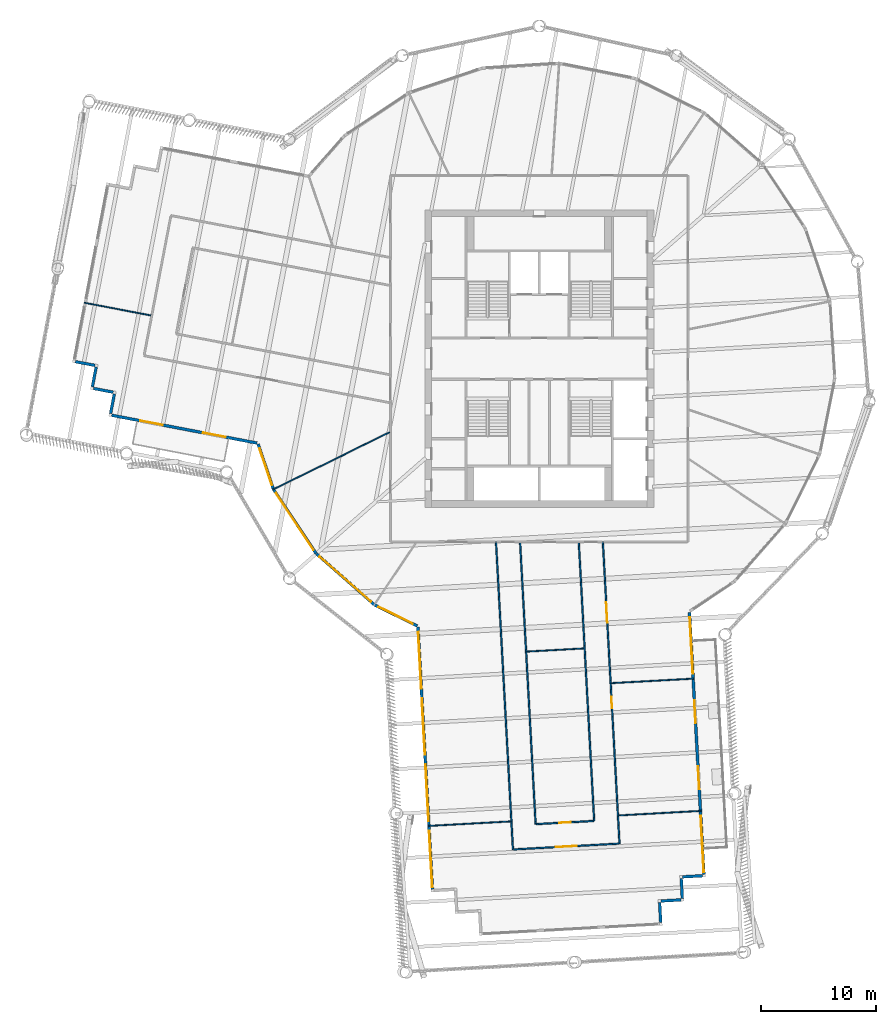
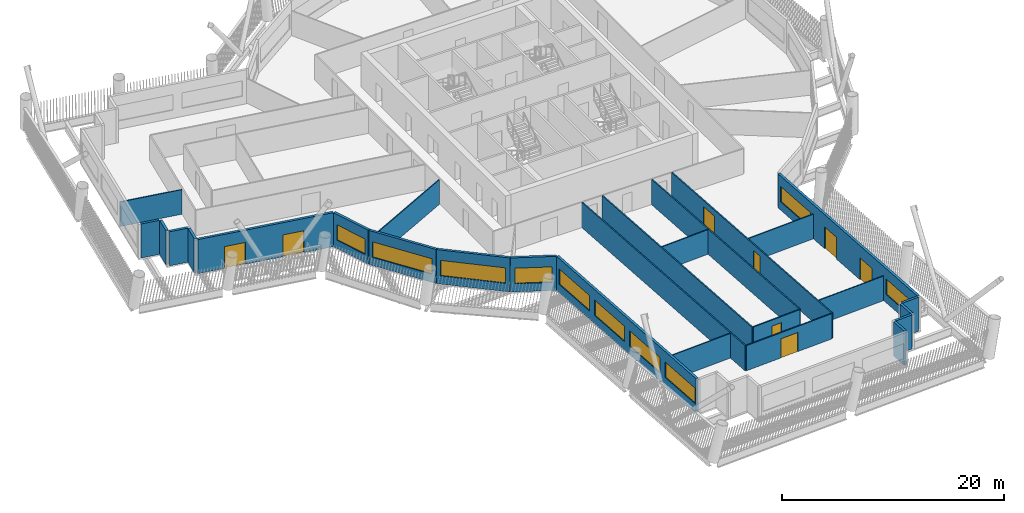
# One storey, part 3 of 23: 27 walls, 10 windows, 8 doors, 18 openings.
"""IFC4 building model written with IfcOpenShell, lengths in metres."""

from ifc_helpers import new_model, si_unit, direction, frame, frame_2d, origin, place, context, subcontext, project, spatial, rectangle, extrude, material, layer, layer_set, type_object, element, fill, save


model = new_model("IFC4")

# Units and contexts
model_context = context("Model", 3, precision=1e-05, world=origin(), true_north=direction((0.0, 1.0)))
body_context = subcontext(model_context, "Body", "Model", "MODEL_VIEW")
ifc_project = project(units=[si_unit("LENGTHUNIT", "METRE"), si_unit("AREAUNIT", "SQUARE_METRE"), si_unit("VOLUMEUNIT", "CUBIC_METRE"), si_unit("PLANEANGLEUNIT", "RADIAN"), si_unit("MASSUNIT", "GRAM", prefix="KILO")], contexts=[model_context])

# Site, building, storey
site_placement = place(None, origin())
site = spatial("IfcSite", under=ifc_project, at=site_placement, CompositionType="ELEMENT")
building_placement = place(site_placement, origin())
building = spatial("IfcBuilding", under=site, at=building_placement, Name="Tarsis Ring Headquarters", CompositionType="ELEMENT")
storey_placement = place(building_placement, frame((0.0, 0.0, 239.39990234375)))
storey = spatial("IfcBuildingStorey", under=building, at=storey_placement, Name="L56", CompositionType="ELEMENT", Elevation=239.39990234375)

# Walls
ifc_material_1 = material(Name="Gypsum board on steel studs", Category="steel")
ifc_layer_1 = layer(ifc_material_1, 0.10009765625)
ifc_layer_set_1 = layer_set([ifc_layer_1], Name="FL partition 100 unrated")
wall_type_1 = type_object("IfcWallType", Name="FL partition 100 unrated", PredefinedType="PARTITIONING", material=ifc_layer_set_1)
wall_1_placement = place(storey_placement, frame((-23.289794921875, -11.43994140625, 0.0), z_axis=(0.0, 0.0, 1.0), x_axis=(0.897564459757, 0.440883250512, 0.0)))
element("IfcWall", 1, at=wall_1_placement, inside=storey, type_object=wall_type_1, Name="Partition PW3", PredefinedType="PARTITIONING", context=body_context, shape_type="SweptSolid", body=[
    extrude(rectangle(XDim=11.3740234375, YDim=0.10009765625, at=frame_2d((5.68701171875, 0.0))), origin(), (0.0, 0.0, 1.0), 2.7001953125),
])
for number, where, z_axis, x_axis, name in (
    (2, (6.939453125, -39.88818359375, 0.0), (0.0, 0.0, 1.0), (0.998477990091, 0.055151639184, 0.0), "Partition PW3"),
    (3, (6.301513671875, -28.335693359375, 0.0), (0.0, 0.0, 1.0), (0.998479851618, 0.055117927328, 0.0), "Partition PW3"),
    (4, (-9.71533203125, -40.8076171875, 0.0), (0.0, 0.0, 1.0), (0.998479851618, 0.055117927328, 0.0), "Partition PW3"),
):
    element("IfcWall", number, at=place(storey_placement, frame(where, z_axis=z_axis, x_axis=x_axis)), inside=storey, type_object=wall_type_1, Name=name, PredefinedType="PARTITIONING", context=body_context, shape_type="SweptSolid", body=[
        extrude(rectangle(XDim=7.219970703125, YDim=0.10009765625, at=frame_2d((3.60986328125, 0.0))), origin(), (0.0, 0.0, 1.0), 2.7001953125),
    ])
wall_2_placement = place(storey_placement, frame((-39.7392578125, 4.890869140625, 0.0), z_axis=(0.0, 0.0, 1.0), x_axis=(0.982156486303, -0.188065510959, 0.0)))
element("IfcWall", 5, at=wall_2_placement, inside=storey, type_object=wall_type_1, Name="Partition PW3", PredefinedType="PARTITIONING", context=body_context, shape_type="SweptSolid", body=[
    extrude(rectangle(XDim=5.929931640625, YDim=0.10009765625, at=frame_2d((2.96484375, 0.0))), origin(), (0.0, 0.0, 1.0), 2.7001953125),
])
wall_3_placement = place(storey_placement, frame((-1.08154296875, -25.57861328125, 0.0), z_axis=(0.0, 0.0, 1.0), x_axis=(0.998477951417, 0.05515233934, 0.0)))
element("IfcWall", 6, at=wall_3_placement, inside=storey, type_object=wall_type_1, Name="Partition PW3", PredefinedType="PARTITIONING", context=body_context, shape_type="SweptSolid", body=[
    extrude(rectangle(XDim=4.97998046875, YDim=0.10009765625, at=frame_2d((2.489990234375, 0.0))), origin(), (0.0, 0.0, 1.0), 2.7001953125),
])
ifc_layer_2 = layer(ifc_material_1, 0.125)
ifc_layer_set_2 = layer_set([ifc_layer_2], Name="FL partition 125 EI 60 H2770")
wall_type_2 = type_object("IfcWallType", Name="FL partition 125 EI 60 H2770", PredefinedType="PARTITIONING", material=ifc_layer_set_2)
wall_4_placement = place(storey_placement, frame((-3.78369140625, -16.0, 0.0), z_axis=(0.0, 0.0, 1.0), x_axis=(0.055120703898, -0.998479698342, 0.0)))
element("IfcWall", 7, at=wall_4_placement, inside=storey, type_object=wall_type_2, Name="Partition PW1", PredefinedType="PARTITIONING", context=body_context, shape_type="SweptSolid", body=[
    extrude(rectangle(XDim=26.903076171875, YDim=0.125, at=frame_2d((13.45166015625, 0.0))), origin(), (0.0, 0.0, 1.0), 2.77001953125),
])

# Wall, openings, doors
wall_5_placement = place(storey_placement, frame((5.55029296875, -16.0, 0.0), z_axis=(0.0, 0.0, 1.0), x_axis=(0.055131825425, -0.99847908432, 0.0)))
wall_5 = element("IfcWall", 8, at=wall_5_placement, inside=storey, type_object=wall_type_2, Name="Partition PW1", PredefinedType="PARTITIONING", context=body_context, shape_type="SweptSolid", body=[
    extrude(rectangle(XDim=26.38818359375, YDim=0.125, at=frame_2d((13.194091796875, 0.0))), origin(), (0.0, 0.0, 1.0), 2.77001953125),
])
opening_1_placement = place(wall_5_placement, frame((5.27734375, 0.0, 0.0)))
opening_1 = element("IfcOpeningElement", 9, at=opening_1_placement, cuts=wall_5, Name="Opening D56.09", PredefinedType="OPENING", context=body_context, shape_type="SweptSolid", body=[
    extrude(rectangle(XDim=1.800048828125, YDim=2.10009765625, at=frame_2d((0.89990234375, 1.050048828125))), frame((0.0, 0.072509765625, 0.0), z_axis=(0.0, -1.0, 0.0), x_axis=(1.0, 0.0, 0.0)), (0.0, 0.0, 1.0), 0.14501953125),
])
opening_2_placement = place(wall_5_placement, frame((13.550537109375, 0.0, 0.0)))
opening_2 = element("IfcOpeningElement", 10, at=opening_2_placement, cuts=wall_5, Name="Opening D56.10", PredefinedType="OPENING", context=body_context, shape_type="SweptSolid", body=[
    extrude(rectangle(XDim=1.0, YDim=2.10009765625, at=frame_2d((0.5, 1.050048828125))), frame((0.0, 0.072509765625, 0.0), z_axis=(0.0, -1.0, 0.0), x_axis=(1.0, 0.0, 0.0)), (0.0, 0.0, 1.0), 0.14501953125),
])
ifc_material_2 = material(Name="Fire-rated timber door leaf in steel frame", Category="steel")
door_type_1 = type_object("IfcDoorType", Name="FL door FD60-1000", OperationType="NOTDEFINED", PredefinedType="DOOR", material=ifc_material_2)
door_1_placement = place(opening_2_placement, origin())
door_1 = element("IfcDoor", 11, at=door_1_placement, inside=storey, type_object=door_type_1, Name="Door D56.10", OperationType="SINGLE_SWING_RIGHT", OverallHeight=2.10009765625, OverallWidth=1.0, PredefinedType="DOOR", context=body_context, shape_type="SweptSolid", body=[
    extrude(rectangle(XDim=1.0, YDim=2.10009765625, at=frame_2d((0.5, 1.050048828125))), frame((0.0, 0.02490234375, 0.0), z_axis=(0.0, -1.0, 0.0), x_axis=(1.0, 0.0, 0.0)), (0.0, 0.0, 1.0), 0.050048828125),
])
fill(opening_2, door_1)
door_type_2 = type_object("IfcDoorType", Name="FL door FD60-1800", OperationType="DOUBLE_DOOR_SINGLE_SWING", PredefinedType="DOOR", material=ifc_material_2)
door_2_placement = place(opening_1_placement, origin())
door_2 = element("IfcDoor", 12, at=door_2_placement, inside=storey, type_object=door_type_2, Name="Door D56.09", OperationType="DOUBLE_DOOR_SINGLE_SWING", OverallHeight=2.10009765625, OverallWidth=1.800048828125, PredefinedType="DOOR", context=body_context, shape_type="SweptSolid", body=[
    extrude(rectangle(XDim=1.800048828125, YDim=2.10009765625, at=frame_2d((0.89990234375, 1.050048828125))), frame((0.0, 0.02490234375, 0.0), z_axis=(0.0, -1.0, 0.0), x_axis=(1.0, 0.0, 0.0)), (0.0, 0.0, 1.0), 0.050048828125),
])
fill(opening_1, door_2)

# Walls
wall_6_placement = place(storey_placement, frame((-1.6767578125, -16.06982421875, 0.0), z_axis=(0.0, 0.0, 1.0), x_axis=(0.055131660149, -0.998479093446, 0.0)))
element("IfcWall", 13, at=wall_6_placement, inside=storey, type_object=wall_type_2, Name="Partition PW1", PredefinedType="PARTITIONING", context=body_context, shape_type="SweptSolid", body=[
    extrude(rectangle(XDim=24.616943359375, YDim=0.125, at=frame_2d((12.30859375, 0.0))), origin(), (0.0, 0.0, 1.0), 2.77001953125),
])
wall_7_placement = place(storey_placement, frame((3.451171875, -16.06982421875, 0.0), z_axis=(0.0, 0.0, 1.0), x_axis=(0.055119950275, -0.998479739946, 0.0)))
element("IfcWall", 14, at=wall_7_placement, inside=storey, type_object=wall_type_2, Name="Partition PW1", PredefinedType="PARTITIONING", context=body_context, shape_type="SweptSolid", body=[
    extrude(rectangle(XDim=24.33447265625, YDim=0.125, at=frame_2d((12.167236328125, 0.0))), origin(), (0.0, 0.0, 1.0), 2.77001953125),
])

# Wall, opening, door
wall_8_placement = place(storey_placement, frame((-2.24072265625, -42.858642578125, 0.0), z_axis=(0.0, 0.0, 1.0), x_axis=(0.998479887426, 0.055117278642, 0.0)))
wall_8 = element("IfcWall", 15, at=wall_8_placement, inside=storey, type_object=wall_type_2, Name="Partition PW1", PredefinedType="PARTITIONING", context=body_context, shape_type="SweptSolid", body=[
    extrude(rectangle(XDim=9.199951171875, YDim=0.125, at=frame_2d((4.60009765625, 0.0))), origin(), (0.0, 0.0, 1.0), 2.77001953125),
])
opening_3_placement = place(wall_8_placement, frame((3.699951171875, 0.0, 0.0)))
opening_3 = element("IfcOpeningElement", 16, at=opening_3_placement, cuts=wall_8, Name="Opening D56.11", PredefinedType="OPENING", context=body_context, shape_type="SweptSolid", body=[
    extrude(rectangle(XDim=1.800048828125, YDim=2.10009765625, at=frame_2d((0.89990234375, 1.050048828125))), frame((0.0, 0.072509765625, 0.0), z_axis=(0.0, -1.0, 0.0), x_axis=(1.0, 0.0, 0.0)), (0.0, 0.0, 1.0), 0.14501953125),
])
door_3_placement = place(opening_3_placement, origin())
door_3 = element("IfcDoor", 17, at=door_3_placement, inside=storey, type_object=door_type_2, Name="Door D56.11", OperationType="DOUBLE_DOOR_SINGLE_SWING", OverallHeight=2.10009765625, OverallWidth=1.800048828125, PredefinedType="DOOR", context=body_context, shape_type="SweptSolid", body=[
    extrude(rectangle(XDim=1.800048828125, YDim=2.10009765625, at=frame_2d((0.89990234375, 1.050048828125))), frame((0.0, 0.02490234375, 0.0), z_axis=(0.0, -1.0, 0.0), x_axis=(1.0, 0.0, 0.0)), (0.0, 0.0, 1.0), 0.050048828125),
])
fill(opening_3, door_3)

wall_9_placement = place(storey_placement, frame((-0.259765625, -40.64599609375, 0.0), z_axis=(0.0, 0.0, 1.0), x_axis=(0.998482060968, 0.055077889617, 0.0)))
wall_9 = element("IfcWall", 18, at=wall_9_placement, inside=storey, type_object=wall_type_2, Name="Partition PW1", PredefinedType="PARTITIONING", context=body_context, shape_type="SweptSolid", body=[
    extrude(rectangle(XDim=5.0, YDim=0.125, at=frame_2d((2.5, 0.0))), origin(), (0.0, 0.0, 1.0), 2.77001953125),
])
opening_4_placement = place(wall_9_placement, frame((2.0, 0.0, 0.0)))
opening_4 = element("IfcOpeningElement", 19, at=opening_4_placement, cuts=wall_9, Name="Opening D56.17", PredefinedType="OPENING", context=body_context, shape_type="SweptSolid", body=[
    extrude(rectangle(XDim=1.0, YDim=2.10009765625, at=frame_2d((0.5, 1.050048828125))), frame((0.0, 0.072509765625, 0.0), z_axis=(0.0, -1.0, 0.0), x_axis=(1.0, 0.0, 0.0)), (0.0, 0.0, 1.0), 0.14501953125),
])
door_4_placement = place(opening_4_placement, origin())
door_4 = element("IfcDoor", 20, at=door_4_placement, inside=storey, type_object=door_type_1, Name="Door D56.17", OperationType="SINGLE_SWING_LEFT", OverallHeight=2.10009765625, OverallWidth=1.0, PredefinedType="DOOR", context=body_context, shape_type="SweptSolid", body=[
    extrude(rectangle(XDim=1.0, YDim=2.10009765625, at=frame_2d((0.5, 1.050048828125))), frame((0.0, 0.02490234375, 0.0), z_axis=(0.0, -1.0, 0.0), x_axis=(1.0, 0.0, 0.0)), (0.0, 0.0, 1.0), 0.050048828125),
])
fill(opening_4, door_4)

# Wall, openings, doors
ifc_material_3 = material(Name="Terracotta clad insulated panel wall", Category="masonry")
ifc_layer_3 = layer(ifc_material_3, 0.25)
ifc_layer_set_3 = layer_set([ifc_layer_3], Name="Facade wall terracotta panel 250")
wall_type_3 = type_object("IfcWallType", Name="Facade wall terracotta panel 250", PredefinedType="STANDARD", material=ifc_layer_set_3)
wall_10_placement = place(storey_placement, frame((-37.345458984375, -4.939697265625, 0.0), z_axis=(0.0, 0.0, 1.0), x_axis=(0.982156528434, -0.188065290936, 0.0)))
wall_10 = element("IfcWall", 21, at=wall_10_placement, inside=storey, type_object=wall_type_3, Name="External wall L56-01", PredefinedType="STANDARD", context=body_context, shape_type="SweptSolid", body=[
    extrude(rectangle(XDim=12.921875, YDim=0.25, at=frame_2d((6.4609375, 0.0))), origin(), (0.0, 0.0, 1.0), 3.739990234375),
])
opening_5_placement = place(wall_10_placement, frame((2.550048828125, 0.0, 0.0)))
opening_5 = element("IfcOpeningElement", 22, at=opening_5_placement, cuts=wall_10, Name="Opening L56-BD01", PredefinedType="OPENING", context=body_context, shape_type="SweptSolid", body=[
    extrude(rectangle(XDim=2.0, YDim=2.39990234375, at=frame_2d((1.0, 1.199951171875))), frame((0.0, 0.135009765625, 0.0), z_axis=(0.0, -1.0, 0.0), x_axis=(1.0, 0.0, 0.0)), (0.0, 0.0, 1.0), 0.27001953125),
])
opening_6_placement = place(wall_10_placement, frame((8.1220703125, 0.0, 0.0)))
opening_6 = element("IfcOpeningElement", 23, at=opening_6_placement, cuts=wall_10, Name="Opening L56-BD02", PredefinedType="OPENING", context=body_context, shape_type="SweptSolid", body=[
    extrude(rectangle(XDim=2.0, YDim=2.39990234375, at=frame_2d((1.0, 1.199951171875))), frame((0.0, 0.135009765625, 0.0), z_axis=(0.0, -1.0, 0.0), x_axis=(1.0, 0.0, 0.0)), (0.0, 0.0, 1.0), 0.27001953125),
])
ifc_material_4 = material(Name="Aluminium framed double glazing", Category="aluminium")
door_type_3 = type_object("IfcDoorType", Name="Balcony sliding door 2000 x 2400", OperationType="SLIDING_TO_LEFT", PredefinedType="DOOR", material=ifc_material_4)
door_5_placement = place(opening_5_placement, origin())
door_5 = element("IfcDoor", 24, at=door_5_placement, inside=storey, type_object=door_type_3, Name="Door L56-BD01", OperationType="SINGLE_SWING_LEFT", OverallHeight=2.39990234375, OverallWidth=2.0, PredefinedType="DOOR", context=body_context, shape_type="SweptSolid", body=[
    extrude(rectangle(XDim=2.0, YDim=2.39990234375, at=frame_2d((1.0, 1.199951171875))), frame((0.0, 0.02490234375, 0.0), z_axis=(0.0, -1.0, 0.0), x_axis=(1.0, 0.0, 0.0)), (0.0, 0.0, 1.0), 0.050048828125),
])
fill(opening_5, door_5)
door_6_placement = place(opening_6_placement, origin())
door_6 = element("IfcDoor", 25, at=door_6_placement, inside=storey, type_object=door_type_3, Name="Door L56-BD02", OperationType="SINGLE_SWING_LEFT", OverallHeight=2.39990234375, OverallWidth=2.0, PredefinedType="DOOR", context=body_context, shape_type="SweptSolid", body=[
    extrude(rectangle(XDim=2.0, YDim=2.39990234375, at=frame_2d((1.0, 1.199951171875))), frame((0.0, 0.02490234375, 0.0), z_axis=(0.0, -1.0, 0.0), x_axis=(1.0, 0.0, 0.0)), (0.0, 0.0, 1.0), 0.050048828125),
])
fill(opening_6, door_6)

# Wall, opening, window
wall_11_placement = place(storey_placement, frame((-24.55908203125, -7.45263671875, 0.0), z_axis=(0.0, 0.0, 1.0), x_axis=(0.319977645384, -0.947425092793, 0.0)))
wall_11 = element("IfcWall", 26, at=wall_11_placement, inside=storey, type_object=wall_type_3, Name="External wall L56-02", PredefinedType="STANDARD", context=body_context, shape_type="SweptSolid", body=[
    extrude(rectangle(XDim=4.157470703125, YDim=0.25, at=frame_2d((2.07861328125, 0.0))), origin(), (0.0, 0.0, 1.0), 3.739990234375),
])
opening_7_placement = place(wall_11_placement, frame((0.420166015625, 0.0, 0.89990234375)))
opening_7 = element("IfcOpeningElement", 27, at=opening_7_placement, cuts=wall_11, Name="Opening WN01", PredefinedType="OPENING", context=body_context, shape_type="SweptSolid", body=[
    extrude(rectangle(XDim=3.35009765625, YDim=1.699951171875, at=frame_2d((1.675048828125, 0.85009765625))), frame((0.0, 0.135009765625, 0.0), z_axis=(0.0, -1.0, 0.0), x_axis=(1.0, 0.0, 0.0)), (0.0, 0.0, 1.0), 0.27001953125),
])
window_type_1 = type_object("IfcWindowType", Name="Facade window 3350 x 1700", PartitioningType="SINGLE_PANEL", PredefinedType="WINDOW", material=ifc_material_4)
window_1_placement = place(opening_7_placement, origin())
window_1 = element("IfcWindow", 28, at=window_1_placement, inside=storey, type_object=window_type_1, Name="Window L56-02.1", OverallHeight=1.699951171875, OverallWidth=3.35009765625, PartitioningType="SINGLE_PANEL", PredefinedType="WINDOW", context=body_context, shape_type="SweptSolid", body=[
    extrude(rectangle(XDim=3.35009765625, YDim=1.699951171875, at=frame_2d((1.675048828125, 0.85009765625))), frame((0.0, 0.030029296875, 0.0), z_axis=(0.0, -1.0, 0.0), x_axis=(1.0, 0.0, 0.0)), (0.0, 0.0, 1.0), 0.06005859375),
])
fill(opening_7, window_1)

wall_12_placement = place(storey_placement, frame((-23.21435546875, -11.4208984375, 0.0), z_axis=(0.0, 0.0, 1.0), x_axis=(0.554239099666, -0.832357507566, 0.0)))
wall_12 = element("IfcWall", 29, at=wall_12_placement, inside=storey, type_object=wall_type_3, Name="External wall L56-03", PredefinedType="STANDARD", context=body_context, shape_type="SweptSolid", body=[
    extrude(rectangle(XDim=6.721435546875, YDim=0.25, at=frame_2d((3.36083984375, 0.0))), origin(), (0.0, 0.0, 1.0), 3.739990234375),
])
opening_8_placement = place(wall_12_placement, frame((0.3857421875, 0.0, 0.89990234375)))
opening_8 = element("IfcOpeningElement", 30, at=opening_8_placement, cuts=wall_12, Name="Opening WN07", PredefinedType="OPENING", context=body_context, shape_type="SweptSolid", body=[
    extrude(rectangle(XDim=5.949951171875, YDim=1.699951171875, at=frame_2d((2.97509765625, 0.85009765625))), frame((0.0, 0.135009765625, 0.0), z_axis=(0.0, -1.0, 0.0), x_axis=(1.0, 0.0, 0.0)), (0.0, 0.0, 1.0), 0.27001953125),
])
window_type_2 = type_object("IfcWindowType", Name="Facade window 5950 x 1700", PartitioningType="SINGLE_PANEL", PredefinedType="WINDOW", material=ifc_material_4)
window_2_placement = place(opening_8_placement, origin())
window_2 = element("IfcWindow", 31, at=window_2_placement, inside=storey, type_object=window_type_2, Name="Window L56-03.1", OverallHeight=1.699951171875, OverallWidth=5.949951171875, PartitioningType="SINGLE_PANEL", PredefinedType="WINDOW", context=body_context, shape_type="SweptSolid", body=[
    extrude(rectangle(XDim=5.949951171875, YDim=1.699951171875, at=frame_2d((2.97509765625, 0.85009765625))), frame((0.0, 0.030029296875, 0.0), z_axis=(0.0, -1.0, 0.0), x_axis=(1.0, 0.0, 0.0)), (0.0, 0.0, 1.0), 0.06005859375),
])
fill(opening_8, window_2)

wall_13_placement = place(storey_placement, frame((-19.467529296875, -17.0400390625, 0.0), z_axis=(0.0, 0.0, 1.0), x_axis=(0.750794210402, -0.660536186463, 0.0)))
wall_13 = element("IfcWall", 32, at=wall_13_placement, inside=storey, type_object=wall_type_3, Name="External wall L56-04", PredefinedType="STANDARD", context=body_context, shape_type="SweptSolid", body=[
    extrude(rectangle(XDim=6.7216796875, YDim=0.25, at=frame_2d((3.36083984375, 0.0))), origin(), (0.0, 0.0, 1.0), 3.739990234375),
])
opening_9_placement = place(wall_13_placement, frame((0.3857421875, 0.0, 0.89990234375)))
opening_9 = element("IfcOpeningElement", 33, at=opening_9_placement, cuts=wall_13, Name="Opening WN07", PredefinedType="OPENING", context=body_context, shape_type="SweptSolid", body=[
    extrude(rectangle(XDim=5.949951171875, YDim=1.699951171875, at=frame_2d((2.97509765625, 0.85009765625))), frame((0.0, 0.135009765625, 0.0), z_axis=(0.0, -1.0, 0.0), x_axis=(1.0, 0.0, 0.0)), (0.0, 0.0, 1.0), 0.27001953125),
])
window_3_placement = place(opening_9_placement, origin())
window_3 = element("IfcWindow", 34, at=window_3_placement, inside=storey, type_object=window_type_2, Name="Window L56-04.1", OverallHeight=1.699951171875, OverallWidth=5.949951171875, PartitioningType="SINGLE_PANEL", PredefinedType="WINDOW", context=body_context, shape_type="SweptSolid", body=[
    extrude(rectangle(XDim=5.949951171875, YDim=1.699951171875, at=frame_2d((2.97509765625, 0.85009765625))), frame((0.0, 0.030029296875, 0.0), z_axis=(0.0, -1.0, 0.0), x_axis=(1.0, 0.0, 0.0)), (0.0, 0.0, 1.0), 0.06005859375),
])
fill(opening_9, window_3)

wall_14_placement = place(storey_placement, frame((-14.393798828125, -21.498046875, 0.0), z_axis=(0.0, 0.0, 1.0), x_axis=(0.896170286098, -0.443710286466, 0.0)))
wall_14 = element("IfcWall", 35, at=wall_14_placement, inside=storey, type_object=wall_type_3, Name="External wall L56-05", PredefinedType="STANDARD", context=body_context, shape_type="SweptSolid", body=[
    extrude(rectangle(XDim=4.157470703125, YDim=0.25, at=frame_2d((2.07861328125, 0.0))), origin(), (0.0, 0.0, 1.0), 3.739990234375),
])
opening_10_placement = place(wall_14_placement, frame((0.38720703125, 0.0, 0.89990234375)))
opening_10 = element("IfcOpeningElement", 36, at=opening_10_placement, cuts=wall_14, Name="Opening WN01", PredefinedType="OPENING", context=body_context, shape_type="SweptSolid", body=[
    extrude(rectangle(XDim=3.35009765625, YDim=1.699951171875, at=frame_2d((1.675048828125, 0.85009765625))), frame((0.0, 0.135009765625, 0.0), z_axis=(0.0, -1.0, 0.0), x_axis=(1.0, 0.0, 0.0)), (0.0, 0.0, 1.0), 0.27001953125),
])
window_4_placement = place(opening_10_placement, origin())
window_4 = element("IfcWindow", 37, at=window_4_placement, inside=storey, type_object=window_type_1, Name="Window L56-05.1", OverallHeight=1.699951171875, OverallWidth=3.35009765625, PartitioningType="SINGLE_PANEL", PredefinedType="WINDOW", context=body_context, shape_type="SweptSolid", body=[
    extrude(rectangle(XDim=3.35009765625, YDim=1.699951171875, at=frame_2d((1.675048828125, 0.85009765625))), frame((0.0, 0.030029296875, 0.0), z_axis=(0.0, -1.0, 0.0), x_axis=(1.0, 0.0, 0.0)), (0.0, 0.0, 1.0), 0.06005859375),
])
fill(opening_10, window_4)

# Wall, openings, windows
wall_15_placement = place(storey_placement, frame((-10.5986328125, -23.447998046875, 0.0), z_axis=(0.0, 0.0, 1.0), x_axis=(0.055129642799, -0.998479204833, 0.0)))
wall_15 = element("IfcWall", 38, at=wall_15_placement, inside=storey, type_object=wall_type_3, Name="External wall L56-06", PredefinedType="STANDARD", context=body_context, shape_type="SweptSolid", body=[
    extrude(rectangle(XDim=22.921875, YDim=0.25, at=frame_2d((11.4609375, 0.0))), origin(), (0.0, 0.0, 1.0), 3.739990234375),
])
opening_11_placement = place(wall_15_placement, frame((0.42138671875, 0.0, 0.89990234375)))
opening_11 = element("IfcOpeningElement", 39, at=opening_11_placement, cuts=wall_15, Name="Opening WN05", PredefinedType="OPENING", context=body_context, shape_type="SweptSolid", body=[
    extrude(rectangle(XDim=4.949951171875, YDim=1.699951171875, at=frame_2d((2.47509765625, 0.85009765625))), frame((0.0, 0.135009765625, 0.0), z_axis=(0.0, -1.0, 0.0), x_axis=(1.0, 0.0, 0.0)), (0.0, 0.0, 1.0), 0.27001953125),
])
opening_12_placement = place(wall_15_placement, frame((6.214599609375, 0.0, 0.89990234375)))
opening_12 = element("IfcOpeningElement", 40, at=opening_12_placement, cuts=wall_15, Name="Opening WN05", PredefinedType="OPENING", context=body_context, shape_type="SweptSolid", body=[
    extrude(rectangle(XDim=4.949951171875, YDim=1.699951171875, at=frame_2d((2.47509765625, 0.85009765625))), frame((0.0, 0.135009765625, 0.0), z_axis=(0.0, -1.0, 0.0), x_axis=(1.0, 0.0, 0.0)), (0.0, 0.0, 1.0), 0.27001953125),
])
opening_13_placement = place(wall_15_placement, frame((12.007568359375, 0.0, 0.89990234375)))
opening_13 = element("IfcOpeningElement", 41, at=opening_13_placement, cuts=wall_15, Name="Opening WN05", PredefinedType="OPENING", context=body_context, shape_type="SweptSolid", body=[
    extrude(rectangle(XDim=4.949951171875, YDim=1.699951171875, at=frame_2d((2.47509765625, 0.85009765625))), frame((0.0, 0.135009765625, 0.0), z_axis=(0.0, -1.0, 0.0), x_axis=(1.0, 0.0, 0.0)), (0.0, 0.0, 1.0), 0.27001953125),
])
opening_14_placement = place(wall_15_placement, frame((17.800537109375, 0.0, 0.89990234375)))
opening_14 = element("IfcOpeningElement", 42, at=opening_14_placement, cuts=wall_15, Name="Opening WN05", PredefinedType="OPENING", context=body_context, shape_type="SweptSolid", body=[
    extrude(rectangle(XDim=4.949951171875, YDim=1.699951171875, at=frame_2d((2.47509765625, 0.85009765625))), frame((0.0, 0.135009765625, 0.0), z_axis=(0.0, -1.0, 0.0), x_axis=(1.0, 0.0, 0.0)), (0.0, 0.0, 1.0), 0.27001953125),
])
window_type_3 = type_object("IfcWindowType", Name="Facade window 4950 x 1700", PartitioningType="SINGLE_PANEL", PredefinedType="WINDOW", material=ifc_material_4)
window_5_placement = place(opening_11_placement, origin())
window_5 = element("IfcWindow", 43, at=window_5_placement, inside=storey, type_object=window_type_3, Name="Window L56-06.1", OverallHeight=1.699951171875, OverallWidth=4.949951171875, PartitioningType="SINGLE_PANEL", PredefinedType="WINDOW", context=body_context, shape_type="SweptSolid", body=[
    extrude(rectangle(XDim=4.949951171875, YDim=1.699951171875, at=frame_2d((2.47509765625, 0.85009765625))), frame((0.0, 0.030029296875, 0.0), z_axis=(0.0, -1.0, 0.0), x_axis=(1.0, 0.0, 0.0)), (0.0, 0.0, 1.0), 0.06005859375),
])
fill(opening_11, window_5)
window_6_placement = place(opening_12_placement, origin())
window_6 = element("IfcWindow", 44, at=window_6_placement, inside=storey, type_object=window_type_3, Name="Window L56-06.2", OverallHeight=1.699951171875, OverallWidth=4.949951171875, PartitioningType="SINGLE_PANEL", PredefinedType="WINDOW", context=body_context, shape_type="SweptSolid", body=[
    extrude(rectangle(XDim=4.949951171875, YDim=1.699951171875, at=frame_2d((2.47509765625, 0.85009765625))), frame((0.0, 0.030029296875, 0.0), z_axis=(0.0, -1.0, 0.0), x_axis=(1.0, 0.0, 0.0)), (0.0, 0.0, 1.0), 0.06005859375),
])
fill(opening_12, window_6)
window_7_placement = place(opening_13_placement, origin())
window_7 = element("IfcWindow", 45, at=window_7_placement, inside=storey, type_object=window_type_3, Name="Window L56-06.3", OverallHeight=1.699951171875, OverallWidth=4.949951171875, PartitioningType="SINGLE_PANEL", PredefinedType="WINDOW", context=body_context, shape_type="SweptSolid", body=[
    extrude(rectangle(XDim=4.949951171875, YDim=1.699951171875, at=frame_2d((2.47509765625, 0.85009765625))), frame((0.0, 0.030029296875, 0.0), z_axis=(0.0, -1.0, 0.0), x_axis=(1.0, 0.0, 0.0)), (0.0, 0.0, 1.0), 0.06005859375),
])
fill(opening_13, window_7)
window_8_placement = place(opening_14_placement, origin())
window_8 = element("IfcWindow", 46, at=window_8_placement, inside=storey, type_object=window_type_3, Name="Window L56-06.4", OverallHeight=1.699951171875, OverallWidth=4.949951171875, PartitioningType="SINGLE_PANEL", PredefinedType="WINDOW", context=body_context, shape_type="SweptSolid", body=[
    extrude(rectangle(XDim=4.949951171875, YDim=1.699951171875, at=frame_2d((2.47509765625, 0.85009765625))), frame((0.0, 0.030029296875, 0.0), z_axis=(0.0, -1.0, 0.0), x_axis=(1.0, 0.0, 0.0)), (0.0, 0.0, 1.0), 0.06005859375),
])
fill(opening_14, window_8)

# Walls
for number, where, z_axis, x_axis, name in (
    (47, (10.60546875, -49.240234375, 0.0), (0.0, 0.0, 1.0), (-0.055106858003, 0.998480462604, 0.0), "External wall L56-12"),
    (48, (10.626953125, -47.361328125, 0.0), (0.0, 0.0, 1.0), (0.998472776643, 0.055245943768, 0.0), "External wall L56-13"),
    (49, (12.4921875, -47.133056640625, 0.0), (0.0, 0.0, 1.0), (-0.055106858003, 0.998480462604, 0.0), "External wall L56-14"),
    (50, (12.513671875, -45.25390625, 0.0), (0.0, 0.0, 1.0), (0.998480462604, 0.055106858003, 0.0), "External wall L56-15"),
):
    element("IfcWall", number, at=place(storey_placement, frame(where, z_axis=z_axis, x_axis=x_axis)), inside=storey, type_object=wall_type_3, Name=name, PredefinedType="STANDARD", context=body_context, shape_type="SweptSolid", body=[
        extrude(rectangle(XDim=1.75, YDim=0.25, at=frame_2d((0.875, 0.0))), origin(), (0.0, 0.0, 1.0), 3.739990234375),
    ])

# Wall, openings, doors, windows
wall_16_placement = place(storey_placement, frame((14.37890625, -45.02587890625, 0.0), z_axis=(0.0, 0.0, 1.0), x_axis=(-0.0551257948, 0.998479417288, 0.0)))
wall_16 = element("IfcWall", 51, at=wall_16_placement, inside=storey, type_object=wall_type_3, Name="External wall L56-16", PredefinedType="STANDARD", context=body_context, shape_type="SweptSolid", body=[
    extrude(rectangle(XDim=22.9013671875, YDim=0.25, at=frame_2d((11.45068359375, 0.0))), origin(), (0.0, 0.0, 1.0), 3.739990234375),
])
opening_15_placement = place(wall_16_placement, frame((0.1689453125, 0.0, 0.89990234375)))
opening_15 = element("IfcOpeningElement", 52, at=opening_15_placement, cuts=wall_16, Name="Opening WN05", PredefinedType="OPENING", context=body_context, shape_type="SweptSolid", body=[
    extrude(rectangle(XDim=4.949951171875, YDim=1.699951171875, at=frame_2d((2.47509765625, 0.85009765625))), frame((0.0, 0.135009765625, 0.0), z_axis=(0.0, -1.0, 0.0), x_axis=(1.0, 0.0, 0.0)), (0.0, 0.0, 1.0), 0.27001953125),
])
opening_16_placement = place(wall_16_placement, frame((7.431640625, 0.0, 0.0)))
opening_16 = element("IfcOpeningElement", 53, at=opening_16_placement, cuts=wall_16, Name="Opening L56-BD03", PredefinedType="OPENING", context=body_context, shape_type="SweptSolid", body=[
    extrude(rectangle(XDim=2.0, YDim=2.39990234375, at=frame_2d((1.0, 1.199951171875))), frame((0.0, 0.135009765625, 0.0), z_axis=(0.0, -1.0, 0.0), x_axis=(1.0, 0.0, 0.0)), (0.0, 0.0, 1.0), 0.27001953125),
])
opening_17_placement = place(wall_16_placement, frame((13.219482421875, 0.0, 0.0)))
opening_17 = element("IfcOpeningElement", 54, at=opening_17_placement, cuts=wall_16, Name="Opening L56-BD04", PredefinedType="OPENING", context=body_context, shape_type="SweptSolid", body=[
    extrude(rectangle(XDim=2.0, YDim=2.39990234375, at=frame_2d((1.0, 1.199951171875))), frame((0.0, 0.135009765625, 0.0), z_axis=(0.0, -1.0, 0.0), x_axis=(1.0, 0.0, 0.0)), (0.0, 0.0, 1.0), 0.27001953125),
])
opening_18_placement = place(wall_16_placement, frame((17.532470703125, 0.0, 0.89990234375)))
opening_18 = element("IfcOpeningElement", 55, at=opening_18_placement, cuts=wall_16, Name="Opening WN05", PredefinedType="OPENING", context=body_context, shape_type="SweptSolid", body=[
    extrude(rectangle(XDim=4.949951171875, YDim=1.699951171875, at=frame_2d((2.47509765625, 0.85009765625))), frame((0.0, 0.135009765625, 0.0), z_axis=(0.0, -1.0, 0.0), x_axis=(1.0, 0.0, 0.0)), (0.0, 0.0, 1.0), 0.27001953125),
])
door_7_placement = place(opening_16_placement, origin())
door_7 = element("IfcDoor", 56, at=door_7_placement, inside=storey, type_object=door_type_3, Name="Door L56-BD03", OperationType="SINGLE_SWING_LEFT", OverallHeight=2.39990234375, OverallWidth=2.0, PredefinedType="DOOR", context=body_context, shape_type="SweptSolid", body=[
    extrude(rectangle(XDim=2.0, YDim=2.39990234375, at=frame_2d((1.0, 1.199951171875))), frame((0.0, 0.02490234375, 0.0), z_axis=(0.0, -1.0, 0.0), x_axis=(1.0, 0.0, 0.0)), (0.0, 0.0, 1.0), 0.050048828125),
])
fill(opening_16, door_7)
door_8_placement = place(opening_17_placement, origin())
door_8 = element("IfcDoor", 57, at=door_8_placement, inside=storey, type_object=door_type_3, Name="Door L56-BD04", OperationType="SINGLE_SWING_LEFT", OverallHeight=2.39990234375, OverallWidth=2.0, PredefinedType="DOOR", context=body_context, shape_type="SweptSolid", body=[
    extrude(rectangle(XDim=2.0, YDim=2.39990234375, at=frame_2d((1.0, 1.199951171875))), frame((0.0, 0.02490234375, 0.0), z_axis=(0.0, -1.0, 0.0), x_axis=(1.0, 0.0, 0.0)), (0.0, 0.0, 1.0), 0.050048828125),
])
fill(opening_17, door_8)
window_9_placement = place(opening_15_placement, origin())
window_9 = element("IfcWindow", 58, at=window_9_placement, inside=storey, type_object=window_type_3, Name="Window L56-16.1", OverallHeight=1.699951171875, OverallWidth=4.949951171875, PartitioningType="SINGLE_PANEL", PredefinedType="WINDOW", context=body_context, shape_type="SweptSolid", body=[
    extrude(rectangle(XDim=4.949951171875, YDim=1.699951171875, at=frame_2d((2.47509765625, 0.85009765625))), frame((0.0, 0.030029296875, 0.0), z_axis=(0.0, -1.0, 0.0), x_axis=(1.0, 0.0, 0.0)), (0.0, 0.0, 1.0), 0.06005859375),
])
fill(opening_15, window_9)
window_10_placement = place(opening_18_placement, origin())
window_10 = element("IfcWindow", 59, at=window_10_placement, inside=storey, type_object=window_type_3, Name="Window L56-16.4", OverallHeight=1.699951171875, OverallWidth=4.949951171875, PartitioningType="SINGLE_PANEL", PredefinedType="WINDOW", context=body_context, shape_type="SweptSolid", body=[
    extrude(rectangle(XDim=4.949951171875, YDim=1.699951171875, at=frame_2d((2.47509765625, 0.85009765625))), frame((0.0, 0.030029296875, 0.0), z_axis=(0.0, -1.0, 0.0), x_axis=(1.0, 0.0, 0.0)), (0.0, 0.0, 1.0), 0.06005859375),
])
fill(opening_18, window_10)

# Walls
for number, where, z_axis, x_axis, name in (
    (60, (-40.521728515625, -0.2587890625, 0.0), (0.0, 0.0, 1.0), (0.982157385011, -0.188060817471, 0.0), "External wall L56-37"),
    (61, (-38.70361328125, -0.734130859375, 0.0), (0.0, 0.0, 1.0), (-0.188060817471, -0.982157385011, 0.0), "External wall L56-38"),
    (62, (-38.93359375, -2.599365234375, 0.0), (0.0, 0.0, 1.0), (0.982157385011, -0.188060817471, 0.0), "External wall L56-39"),
    (63, (-37.115478515625, -3.07470703125, 0.0), (0.0, 0.0, 1.0), (-0.188060817471, -0.982157385011, 0.0), "External wall L56-40"),
):
    element("IfcWall", number, at=place(storey_placement, frame(where, z_axis=z_axis, x_axis=x_axis)), inside=storey, type_object=wall_type_3, Name=name, PredefinedType="STANDARD", context=body_context, shape_type="SweptSolid", body=[
        extrude(rectangle(XDim=1.75, YDim=0.25, at=frame_2d((0.875, 0.0))), origin(), (0.0, 0.0, 1.0), 3.739990234375),
    ])

save(model, "model.ifc")
